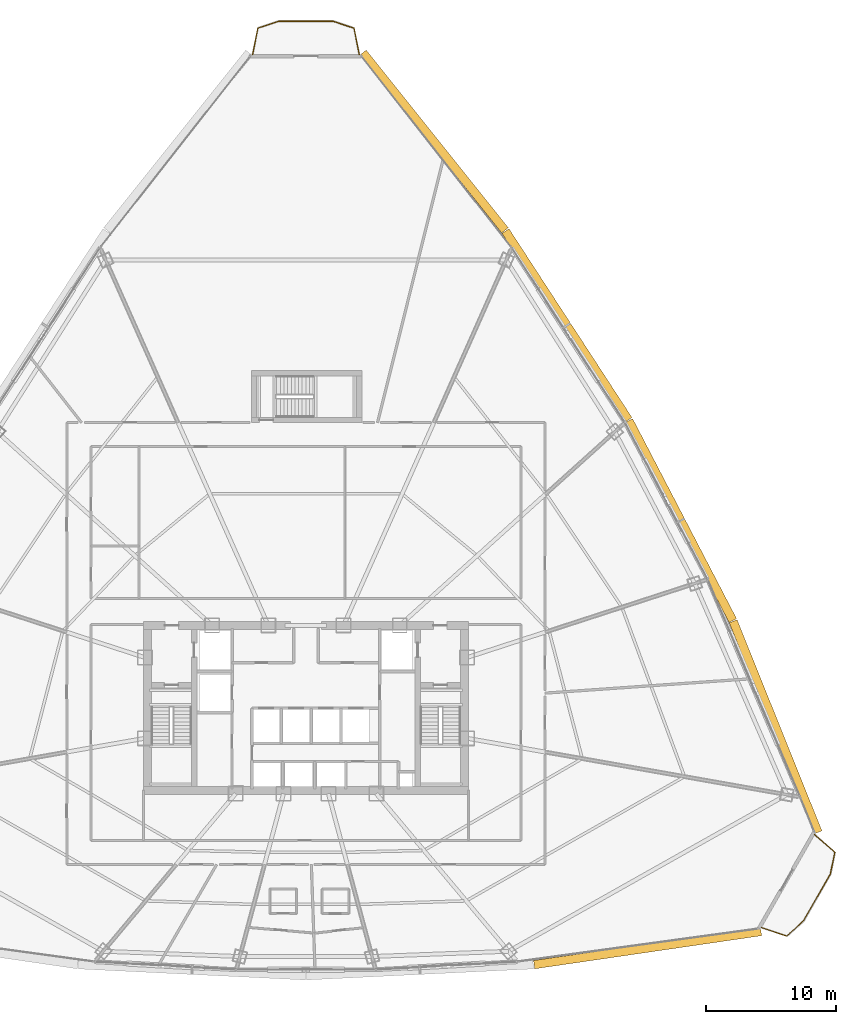
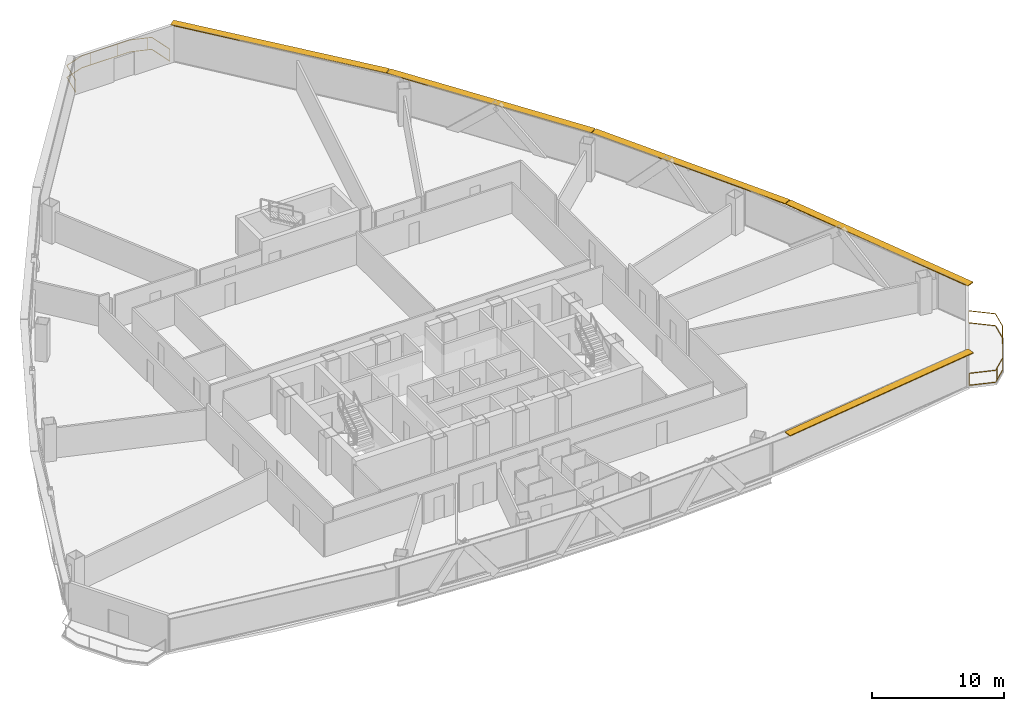
# One storey, part 39 of 39: 5 shading devices, 2 railings.
"""IFC4 building model written with IfcOpenShell, lengths in metres."""

import ifcopenshell
import ifcopenshell.guid

model = None  # the IFC model being written
_history = None  # IfcOwnerHistory: only IFC2X3 demands one
_inside = {}  # id of a spatial element -> (the spatial element, [elements in it])
_under = {}  # id of a project, library or spatial element -> (it, [spatial elements below it])
_declared = {}  # id of a project -> (the project, [libraries it declares])
_typed = {}  # id of a type object -> (the type object, [elements of that type])
_made_of = {}  # id of a material, layer set ... -> (it, [elements and type objects made of it])


def new_model(schema):
    """Start an empty IFC model of exactly this schema.

    Asked for "IFC4X3", IfcOpenShell would pick the latest addendum, in which some entities
    have other attributes; the version numbers below select the first issue.
    IFC2X3 requires an IfcOwnerHistory on every rooted entity: one is made here for all.
    """
    global model, _history
    if schema == "IFC4X3":
        model = ifcopenshell.file(schema_version=(4, 3, 0, 0))
    else:
        model = ifcopenshell.file(schema=schema)
    _inside.clear()
    _under.clear()
    _declared.clear()
    _typed.clear()
    _made_of.clear()
    _history = None
    if model.schema == "IFC2X3":
        org = make("IfcOrganization", Name="unknown")
        user = make(
            "IfcPersonAndOrganization",
            ThePerson=make("IfcPerson", FamilyName="unknown"),
            TheOrganization=org,
        )
        app = make(
            "IfcApplication",
            ApplicationDeveloper=org,
            Version="unknown",
            ApplicationFullName="unknown",
            ApplicationIdentifier="unknown",
        )
        _history = make(
            "IfcOwnerHistory",
            OwningUser=user,
            OwningApplication=app,
            ChangeAction="ADDED",
            CreationDate=0,
        )
    return model


def make(cls, **values):
    """One entity of the class cls with the attributes given. An attribute that is None is left unset."""
    return model.create_entity(
        cls, **{name: value for name, value in values.items() if value is not None}
    )


def rooted(cls, **values):
    """An entity with a GlobalId (a new one), such as an element, a storey or a relation."""
    return make(cls, GlobalId=ifcopenshell.guid.new(), OwnerHistory=_history, **values)


def si_unit(unit_type, name, prefix=None):
    """IfcSIUnit, for example si_unit("LENGTHUNIT", "METRE", prefix="MILLI")."""
    return make("IfcSIUnit", UnitType=unit_type, Prefix=prefix, Name=name)


def assignment(units):
    """IfcUnitAssignment: the units of a project."""
    return None if units is None else make("IfcUnitAssignment", Units=units)


def point(xyz):
    """IfcCartesianPoint."""
    return None if xyz is None else make("IfcCartesianPoint", Coordinates=xyz)


def direction(xyz):
    """IfcDirection."""
    return None if xyz is None else make("IfcDirection", DirectionRatios=xyz)


def frame(location, z_axis=None, x_axis=None):
    """IfcAxis2Placement3D, a coordinate frame: its origin and axes. An axis left out is left unset."""
    return make(
        "IfcAxis2Placement3D",
        Location=point(location),
        Axis=direction(z_axis),
        RefDirection=direction(x_axis),
    )


def frame_2d(location, x_axis=None):
    """IfcAxis2Placement2D, a coordinate frame in the plane: its origin and x axis."""
    return make(
        "IfcAxis2Placement2D", Location=point(location), RefDirection=direction(x_axis)
    )


def origin():
    """The frame at (0, 0, 0) with its axes left unset."""
    return frame((0.0, 0.0, 0.0))


def origin_2d():
    """The frame at (0, 0) in the plane with its x axis left unset."""
    return frame_2d((0.0, 0.0))


def place(relative_to, where):
    """IfcLocalPlacement: puts the frame where relative to a parent placement (None: the world)."""
    return make(
        "IfcLocalPlacement", PlacementRelTo=relative_to, RelativePlacement=where
    )


def context(
    kind, dimensions, precision=None, world=None, true_north=None, identifier=None
):
    """IfcGeometricRepresentationContext, for example the 3D "Model" context."""
    return make(
        "IfcGeometricRepresentationContext",
        ContextIdentifier=identifier,
        ContextType=kind,
        CoordinateSpaceDimension=dimensions,
        Precision=precision,
        WorldCoordinateSystem=world,
        TrueNorth=true_north,
    )


def subcontext(parent, identifier, kind, view, scale=None):
    """IfcGeometricRepresentationSubContext, for example "Body" below "Model"."""
    return make(
        "IfcGeometricRepresentationSubContext",
        ContextIdentifier=identifier,
        ContextType=kind,
        ParentContext=parent,
        TargetScale=scale,
        TargetView=view,
    )


def project(units=None, contexts=None):
    """IfcProject with its units and contexts."""
    return rooted(
        "IfcProject",
        Name="project",
        RepresentationContexts=contexts,
        UnitsInContext=assignment(units),
    )


def spatial(cls, under=None, at=None, **own):
    """A site, building, storey or space (cls), placed at a placement, below another one or the project."""
    s = rooted(cls, ObjectPlacement=at, **own)
    if under is not None:
        _under.setdefault(under.id(), (under, []))[1].append(s)
    return s


def profile(cls, at=None, kind="AREA", **sizes):
    """A parametric profile (cls). Its sizes go by their IFC names, for example OverallWidth=200.0."""
    return make(cls, ProfileType=kind, Position=at, **sizes)


def rectangle(**sizes):
    """IfcRectangleProfileDef."""
    return profile("IfcRectangleProfileDef", **sizes)


def extrude(swept, where, along, depth):
    """IfcExtrudedAreaSolid: the profile swept, set in the frame where, extruded along a direction by depth."""
    return make(
        "IfcExtrudedAreaSolid",
        SweptArea=swept,
        Position=where,
        ExtrudedDirection=direction(along),
        Depth=depth,
    )


def shape(context_of_items, identifier, shape_type, items):
    """IfcShapeRepresentation: the items that make up one representation, for example the "Body"."""
    return make(
        "IfcShapeRepresentation",
        ContextOfItems=context_of_items,
        RepresentationIdentifier=identifier,
        RepresentationType=shape_type,
        Items=items,
    )


def source(mapping_origin, context_of_items, identifier, shape_type, items):
    """IfcRepresentationMap: a shape defined once, which mapped items show again and again."""
    return make(
        "IfcRepresentationMap",
        MappingOrigin=mapping_origin,
        MappedRepresentation=shape(context_of_items, identifier, shape_type, items),
    )


def transform(
    local_origin,
    x_axis=None,
    y_axis=None,
    z_axis=None,
    scale=None,
    scale2=None,
    scale3=None,
    uniform=True,
):
    """IfcCartesianTransformationOperator3D, or its non-uniform kind. x_axis, y_axis, z_axis: its Axis1, 2, 3."""
    if uniform:
        return make(
            "IfcCartesianTransformationOperator3D",
            Axis1=direction(x_axis),
            Axis2=direction(y_axis),
            LocalOrigin=point(local_origin),
            Scale=scale,
            Axis3=direction(z_axis),
        )
    return make(
        "IfcCartesianTransformationOperator3DnonUniform",
        Axis1=direction(x_axis),
        Axis2=direction(y_axis),
        LocalOrigin=point(local_origin),
        Scale=scale,
        Axis3=direction(z_axis),
        Scale2=scale2,
        Scale3=scale3,
    )


def mapped(mapping_source, mapping_target):
    """IfcMappedItem: shows the shape of a source again, moved by a transform."""
    return make(
        "IfcMappedItem", MappingSource=mapping_source, MappingTarget=mapping_target
    )


def material(Name=None, Category=None):
    """IfcMaterial."""
    return make("IfcMaterial", Name=Name, Category=Category)


def layer(
    of_material, thickness, ventilated=None, Name=None, Category=None, Priority=None
):
    """IfcMaterialLayer: one layer of a wall or slab, of a material (None: an air gap)."""
    return make(
        "IfcMaterialLayer",
        Material=of_material,
        LayerThickness=thickness,
        IsVentilated=ventilated,
        Name=Name,
        Category=Category,
        Priority=Priority,
    )


def layer_set(layers, Name=None):
    """IfcMaterialLayerSet."""
    return make("IfcMaterialLayerSet", MaterialLayers=layers, LayerSetName=Name)


def made_of(thing, what):
    """Note that an element or type object is made of a material, layer set ...; save() writes the relation."""
    if what is not None:
        _made_of.setdefault(what.id(), (what, []))[1].append(thing)
    return thing


def type_object(cls, material=None, **own):
    """A type object (cls), such as IfcWallType, which elements share."""
    return made_of(rooted(cls, **own), material)


def element(
    cls,
    number,
    at=None,
    inside=None,
    cuts=None,
    type_object=None,
    material=None,
    context=None,
    identifier="Body",
    shape_type=None,
    held_by="IfcProductDefinitionShape",
    body=None,
    shapes=None,
    **own,
):
    """One element of the class cls, such as IfcWall. Its Tag is "e" and its number.

    at: its placement. inside: the storey or other place that contains it. cuts: it is an
    opening in that element (IfcRelVoidsElement). A single representation is given by context,
    identifier, shape_type and body (its items); several are given by shapes. held_by: the class
    of the entity that holds the representations. save() writes the other relations.
    """
    e = rooted(cls, Tag="e%d" % number, ObjectPlacement=at, **own)
    if body is not None:
        shapes = [shape(context, identifier, shape_type, body)]
    if shapes is not None:
        e.Representation = make(held_by, Representations=shapes)
    if inside is not None:
        _inside.setdefault(inside.id(), (inside, []))[1].append(e)
    if cuts is not None:
        rooted(
            "IfcRelVoidsElement", RelatingBuildingElement=cuts, RelatedOpeningElement=e
        )
    if type_object is not None:
        _typed.setdefault(type_object.id(), (type_object, []))[1].append(e)
    return made_of(e, material)


def aggregate(whole, parts):
    """IfcRelAggregates: a whole, such as a stair, and the parts it consists of."""
    return rooted("IfcRelAggregates", RelatingObject=whole, RelatedObjects=parts)


def save(model, path):
    """Write the relations noted so far, then the file.

    IfcRelAggregates (storeys below a building ...), IfcRelContainedInSpatialStructure (elements
    in a storey), IfcRelDefinesByType, IfcRelAssociatesMaterial and IfcRelDeclares: one each for
    every whole, place, type object, material and project.
    """
    for whole, parts in _under.values():
        aggregate(whole, parts)
    for where, things in _inside.values():
        rooted(
            "IfcRelContainedInSpatialStructure",
            RelatedElements=things,
            RelatingStructure=where,
        )
    for kind, things in _typed.values():
        rooted("IfcRelDefinesByType", RelatedObjects=things, RelatingType=kind)
    for what, things in _made_of.values():
        rooted("IfcRelAssociatesMaterial", RelatedObjects=things, RelatingMaterial=what)
    for by, libraries in _declared.values():
        rooted("IfcRelDeclares", RelatingContext=by, RelatedDefinitions=libraries)
    model.write(path)


model = new_model("IFC4")

# Units and contexts
model_context = context("Model", 3, precision=1e-05, world=origin(), true_north=direction((0.0, 1.0)))
body_context = subcontext(model_context, "Body", "Model", "MODEL_VIEW")
ifc_project = project(units=[si_unit("LENGTHUNIT", "METRE"), si_unit("AREAUNIT", "SQUARE_METRE"), si_unit("VOLUMEUNIT", "CUBIC_METRE"), si_unit("PLANEANGLEUNIT", "RADIAN"), si_unit("MASSUNIT", "GRAM", prefix="KILO"), si_unit("THERMODYNAMICTEMPERATUREUNIT", "KELVIN"), si_unit("POWERUNIT", "WATT")], contexts=[model_context])

# Site, building, storey
site_placement = place(None, origin())
site = spatial("IfcSite", under=ifc_project, at=site_placement, CompositionType="ELEMENT")
building_placement = place(site_placement, origin())
building = spatial("IfcBuilding", under=site, at=building_placement, Name="Yunzhuo Pagoda Commons", CompositionType="ELEMENT")
storey_placement = place(building_placement, frame((0.0, 0.0, 162.949951171875)))
storey = spatial("IfcBuildingStorey", under=building, at=storey_placement, Name="L41", CompositionType="ELEMENT", Elevation=162.949951171875)

# Railings
ifc_material = material(Name="Anodized aluminium 6063-T6", Category="aluminium")
railing_type = type_object("IfcRailingType", Name="RL-BAL1 Exterior Terrace & Balcony Balustrade 1150", PredefinedType="BALUSTRADE", material=ifc_material)
railing_1_placement = place(storey_placement, frame((83.041015625, 16.955322265625, 0.0)))
element("IfcRailing", 1, at=railing_1_placement, inside=storey, type_object=railing_type, Name="L41 corner balcony balustrade V2", PredefinedType="BALUSTRADE", context=body_context, shape_type="SweptSolid", body=[
    extrude(rectangle(XDim=0.048095703125, YDim=0.048095703125, at=origin_2d()), frame((0.0, 0.0, 1.1259765625), z_axis=(0.947419062147, -0.319995501031, 0.0), x_axis=(0.319995501031, 0.947419062147, 0.0)), (0.0, 0.0, 1.0), 2.05908203125),
    extrude(rectangle(XDim=0.048095703125, YDim=0.048095703125, at=origin_2d()), frame((0.0, 0.0, 0.02392578125), z_axis=(0.947419062147, -0.319995501031, 0.0), x_axis=(0.319995501031, 0.947419062147, 0.0)), (0.0, 0.0, 1.0), 2.05908203125),
    extrude(rectangle(XDim=0.048095703125, YDim=0.048095703125, at=origin_2d()), frame((1.950927734375, -0.658935546875, 1.1259765625), z_axis=(0.743044693611, 0.669241797332, 0.0), x_axis=(-0.669241797332, 0.743044693611, 0.0)), (0.0, 0.0, 1.0), 1.70361328125),
    extrude(rectangle(XDim=0.048095703125, YDim=0.048095703125, at=origin_2d()), frame((1.950927734375, -0.658935546875, 0.02392578125), z_axis=(0.743044693611, 0.669241797332, 0.0), x_axis=(-0.669241797332, 0.743044693611, 0.0)), (0.0, 0.0, 1.0), 1.70361328125),
    extrude(rectangle(XDim=0.048095703125, YDim=0.048095703125, at=origin_2d()), frame((3.216796875, 0.481201171875, 1.1259765625), z_axis=(0.497929078037, 0.867217754226, 0.0), x_axis=(-0.867217754226, 0.497929078037, 0.0)), (0.0, 0.0, 1.0), 4.197998046875),
    extrude(rectangle(XDim=0.048095703125, YDim=0.048095703125, at=origin_2d()), frame((3.216796875, 0.481201171875, 0.02392578125), z_axis=(0.497929078037, 0.867217754226, 0.0), x_axis=(-0.867217754226, 0.497929078037, 0.0)), (0.0, 0.0, 1.0), 4.197998046875),
    extrude(rectangle(XDim=0.048095703125, YDim=0.048095703125, at=origin_2d()), frame((5.30712890625, 4.121826171875, 1.1259765625), z_axis=(0.203359032511, 0.97910423546, 0.0), x_axis=(-0.97910423546, 0.203359032511, 0.0)), (0.0, 0.0, 1.0), 1.70361328125),
    extrude(rectangle(XDim=0.048095703125, YDim=0.048095703125, at=origin_2d()), frame((5.30712890625, 4.121826171875, 0.02392578125), z_axis=(0.203359032511, 0.97910423546, 0.0), x_axis=(-0.97910423546, 0.203359032511, 0.0)), (0.0, 0.0, 1.0), 1.70361328125),
    extrude(rectangle(XDim=0.048095703125, YDim=0.048095703125, at=origin_2d()), frame((5.653564453125, 5.789794921875, 1.1259765625), z_axis=(-0.753992555518, 0.656882962348, 0.0), x_axis=(-0.656882962348, -0.753992555518, 0.0)), (0.0, 0.0, 1.0), 2.05908203125),
    extrude(rectangle(XDim=0.048095703125, YDim=0.048095703125, at=origin_2d()), frame((5.653564453125, 5.789794921875, 0.02392578125), z_axis=(-0.753992555518, 0.656882962348, 0.0), x_axis=(-0.656882962348, -0.753992555518, 0.0)), (0.0, 0.0, 1.0), 2.05908203125),
    extrude(rectangle(XDim=0.0419921875, YDim=0.0419921875, at=origin_2d()), origin(), (0.0, 0.0, 1.0), 1.101806640625),
    extrude(rectangle(XDim=0.0419921875, YDim=0.0419921875, at=origin_2d()), frame((2.2041015625, -0.430908203125, 0.0)), (0.0, 0.0, 1.0), 1.101806640625),
    extrude(rectangle(XDim=0.0419921875, YDim=0.0419921875, at=origin_2d()), frame((3.733154296875, 1.380615234375, 0.0)), (0.0, 0.0, 1.0), 1.101806640625),
    extrude(rectangle(XDim=0.0419921875, YDim=0.0419921875, at=origin_2d()), frame((4.92822265625, 3.4619140625, 0.0)), (0.0, 0.0, 1.0), 1.101806640625),
    extrude(rectangle(XDim=0.0419921875, YDim=0.0419921875, at=origin_2d()), frame((4.10107421875, 7.142333984375, 0.0)), (0.0, 0.0, 1.0), 1.101806640625),
])
railing_2_placement = place(storey_placement, frame((52.1005859375, 84.1279296875, 0.0)))
element("IfcRailing", 2, at=railing_2_placement, inside=storey, type_object=railing_type, Name="L41 corner balcony balustrade V3", PredefinedType="BALUSTRADE", context=body_context, shape_type="SweptSolid", body=[
    extrude(rectangle(XDim=0.048095703125, YDim=0.048095703125, at=origin_2d()), frame((0.0, 0.0, 1.1259765625), z_axis=(-0.194200568098, 0.980961843983, 0.0), x_axis=(-0.980961843983, -0.194200568098, 0.0)), (0.0, 0.0, 1.0), 2.059326171875),
    extrude(rectangle(XDim=0.048095703125, YDim=0.048095703125, at=origin_2d()), frame((0.0, 0.0, 0.02392578125), z_axis=(-0.194200568098, 0.980961843983, 0.0), x_axis=(-0.980961843983, -0.194200568098, 0.0)), (0.0, 0.0, 1.0), 2.059326171875),
    extrude(rectangle(XDim=0.048095703125, YDim=0.048095703125, at=origin_2d()), frame((-0.39990234375, 2.02001953125, 1.1259765625), z_axis=(-0.949871781485, 0.312639726744, 0.0), x_axis=(-0.312639726744, -0.949871781485, 0.0)), (0.0, 0.0, 1.0), 1.6953125),
    extrude(rectangle(XDim=0.048095703125, YDim=0.048095703125, at=origin_2d()), frame((-0.39990234375, 2.02001953125, 0.02392578125), z_axis=(-0.949871781485, 0.312639726744, 0.0), x_axis=(-0.312639726744, -0.949871781485, 0.0)), (0.0, 0.0, 1.0), 1.6953125),
    extrude(rectangle(XDim=0.048095703125, YDim=0.048095703125, at=origin_2d()), frame((-2.01025390625, 2.550048828125, 1.1259765625), z_axis=(-1.0, 0.0, 0.0), x_axis=(0.0, -1.0, 0.0)), (0.0, 0.0, 1.0), 4.1806640625),
    extrude(rectangle(XDim=0.048095703125, YDim=0.048095703125, at=origin_2d()), frame((-2.01025390625, 2.550048828125, 0.02392578125), z_axis=(-1.0, 0.0, 0.0), x_axis=(0.0, -1.0, 0.0)), (0.0, 0.0, 1.0), 4.1806640625),
    extrude(rectangle(XDim=0.048095703125, YDim=0.048095703125, at=origin_2d()), frame((-6.19091796875, 2.550048828125, 1.1259765625), z_axis=(-0.949871781485, -0.312639726744, 0.0), x_axis=(0.312639726744, -0.949871781485, 0.0)), (0.0, 0.0, 1.0), 1.6953125),
    extrude(rectangle(XDim=0.048095703125, YDim=0.048095703125, at=origin_2d()), frame((-6.19091796875, 2.550048828125, 0.02392578125), z_axis=(-0.949871781485, -0.312639726744, 0.0), x_axis=(0.312639726744, -0.949871781485, 0.0)), (0.0, 0.0, 1.0), 1.6953125),
    extrude(rectangle(XDim=0.048095703125, YDim=0.048095703125, at=origin_2d()), frame((-7.80126953125, 2.02001953125, 1.1259765625), z_axis=(-0.194200568098, -0.980961843983, 0.0), x_axis=(0.980961843983, -0.194200568098, 0.0)), (0.0, 0.0, 1.0), 2.059326171875),
    extrude(rectangle(XDim=0.048095703125, YDim=0.048095703125, at=origin_2d()), frame((-7.80126953125, 2.02001953125, 0.02392578125), z_axis=(-0.194200568098, -0.980961843983, 0.0), x_axis=(0.980961843983, -0.194200568098, 0.0)), (0.0, 0.0, 1.0), 2.059326171875),
    extrude(rectangle(XDim=0.0419921875, YDim=0.0419921875, at=origin_2d()), origin(), (0.0, 0.0, 1.0), 1.101806640625),
    extrude(rectangle(XDim=0.0419921875, YDim=0.0419921875, at=origin_2d()), frame((-0.7236328125, 2.12646484375, 0.0)), (0.0, 0.0, 1.0), 1.101806640625),
    extrude(rectangle(XDim=0.0419921875, YDim=0.0419921875, at=origin_2d()), frame((-3.0556640625, 2.550048828125, 0.0)), (0.0, 0.0, 1.0), 1.101806640625),
    extrude(rectangle(XDim=0.0419921875, YDim=0.0419921875, at=origin_2d()), frame((-5.455810546875, 2.550048828125, 0.0)), (0.0, 0.0, 1.0), 1.101806640625),
    extrude(rectangle(XDim=0.0419921875, YDim=0.0419921875, at=origin_2d()), frame((-8.201171875, 0.0, 0.0)), (0.0, 0.0, 1.0), 1.101806640625),
])

# Shading devices
ifc_layer = layer(ifc_material, 0.080078125)
ifc_layer_set = layer_set([ifc_layer], Name="Anodized aluminium 6063-T6")
shading_device_type = type_object("IfcShadingDeviceType", Name="SH-SUN1 Pagoda Horizontal Sunshade Eave 650", PredefinedType="USERDEFINED", material=ifc_layer_set)
shared_shape_1 = source(origin(), body_context, "Body", "SweptSolid", [
    extrude(rectangle(XDim=17.64599609375, YDim=0.64990234375, at=origin_2d()), origin(), (0.0, 0.0, 1.0), 0.080078125),
])
shading_device_1_placement = place(storey_placement, frame((74.28564453125, 15.37109375, 3.340087890625), z_axis=(0.0, 0.0, 1.0), x_axis=(0.989510666697, 0.144459823108, 0.0)))
element("IfcShadingDevice", 3, at=shading_device_1_placement, inside=storey, type_object=shading_device_type, Name="L41 horizontal pagoda sunshade eave F1.4", ObjectType="SUNSHADE", PredefinedType="USERDEFINED", context=body_context, shape_type="MappedRepresentation", body=[
    mapped(shared_shape_1, transform((0.0, 0.0, 0.0), scale=1.0)),
])
shared_shape_2 = source(origin(), body_context, "Body", "SweptSolid", [
    extrude(rectangle(XDim=17.50439453125, YDim=0.64990234375, at=origin_2d()), origin(), (0.0, 0.0, 1.0), 0.080078125),
])
shading_device_2_placement = place(storey_placement, frame((84.132568359375, 32.395751953125, 3.340087890625), z_axis=(0.0, 0.0, 1.0), x_axis=(-0.372987782576, 0.927836253899, 0.0)))
element("IfcShadingDevice", 4, at=shading_device_2_placement, inside=storey, type_object=shading_device_type, Name="L41 horizontal pagoda sunshade eave F2.1", ObjectType="SUNSHADE", PredefinedType="USERDEFINED", context=body_context, shape_type="MappedRepresentation", body=[
    mapped(shared_shape_2, transform((0.0, 0.0, 0.0), scale=1.0)),
])
shared_shape_3 = source(origin(), body_context, "Body", "SweptSolid", [
    extrude(rectangle(XDim=17.338134765625, YDim=0.64990234375, at=origin_2d()), origin(), (0.0, 0.0, 1.0), 0.080078125),
])
for number, where, z_axis, x_axis, name in (
    (5, (76.843505859375, 48.265625, 3.340087890625), (0.0, 0.0, 1.0), (-0.461206683033, 0.88729273384, 0.0), "L41 horizontal pagoda sunshade eave F2.2"),
    (6, (68.081298828125, 63.2763671875, 3.340087890625), (0.0, 0.0, 1.0), (-0.545853380833, 0.837880711458, 0.0), "L41 horizontal pagoda sunshade eave F2.3"),
):
    element("IfcShadingDevice", number, at=place(storey_placement, frame(where, z_axis=z_axis, x_axis=x_axis)), inside=storey, type_object=shading_device_type, Name=name, ObjectType="SUNSHADE", PredefinedType="USERDEFINED", context=body_context, shape_type="MappedRepresentation", body=[
        mapped(shared_shape_3, transform((0.0, 0.0, 0.0), scale=1.0)),
    ])
shared_shape_4 = source(origin(), body_context, "Body", "SweptSolid", [
    extrude(rectangle(XDim=17.504150390625, YDim=0.64990234375, at=origin_2d()), origin(), (0.0, 0.0, 1.0), 0.080078125),
])
shading_device_3_placement = place(storey_placement, frame((57.846435546875, 77.4267578125, 3.340087890625), z_axis=(0.0, 0.0, 1.0), x_axis=(-0.624520471688, 0.781008438138, 0.0)))
element("IfcShadingDevice", 7, at=shading_device_3_placement, inside=storey, type_object=shading_device_type, Name="L41 horizontal pagoda sunshade eave F2.4", ObjectType="SUNSHADE", PredefinedType="USERDEFINED", context=body_context, shape_type="MappedRepresentation", body=[
    mapped(shared_shape_4, transform((0.0, 0.0, 0.0), scale=1.0)),
])

save(model, "model.ifc")
